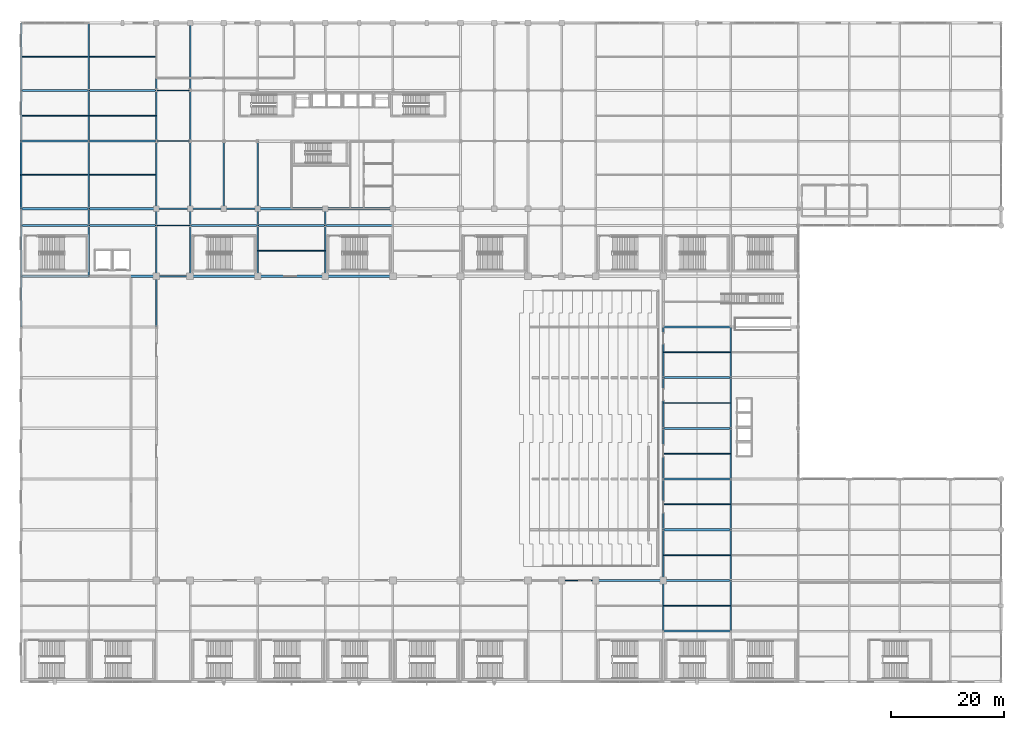
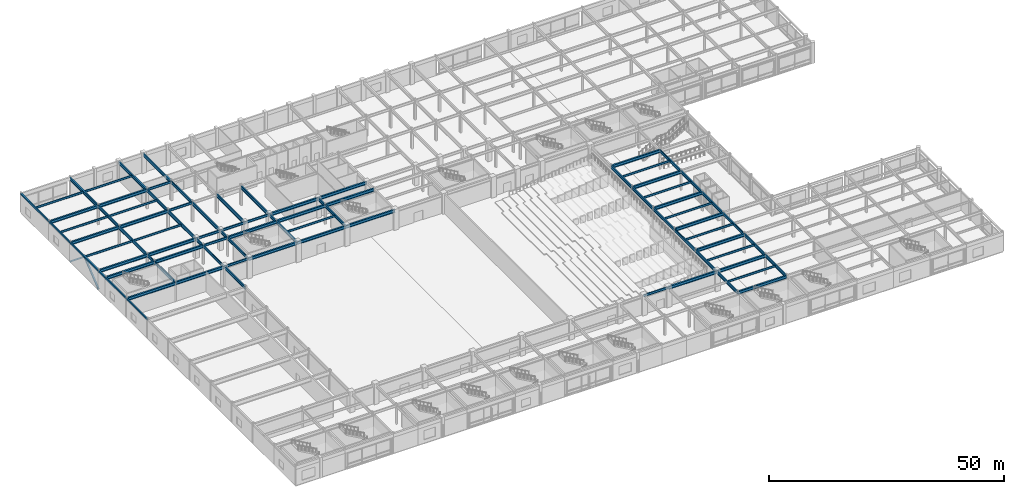
# One storey, part 33 of 100: 87 beams, 2 members.
"""IFC4 building model written with IfcOpenShell, lengths in metres."""

from ifc_helpers import new_model, si_unit, direction, frame, origin, origin_2d, place, context, subcontext, project, spatial, hollow_rectangle, i_section, extrude, material, material_profile, profile_set, type_object, element, save


model = new_model("IFC4")

# Units and contexts
model_context = context("Model", 3, precision=1e-05, world=origin(), true_north=direction((0.0, 1.0)))
body_context = subcontext(model_context, "Body", "Model", "MODEL_VIEW")
ifc_project = project(units=[si_unit("LENGTHUNIT", "METRE"), si_unit("AREAUNIT", "SQUARE_METRE"), si_unit("VOLUMEUNIT", "CUBIC_METRE"), si_unit("PLANEANGLEUNIT", "RADIAN"), si_unit("MASSUNIT", "GRAM", prefix="KILO")], contexts=[model_context])

# Site, building, storey
site_placement = place(None, origin())
site = spatial("IfcSite", under=ifc_project, at=site_placement, CompositionType="ELEMENT")
building_placement = place(site_placement, origin())
building = spatial("IfcBuilding", under=site, at=building_placement, Name="Kaldorvane Square Convention Centre", CompositionType="ELEMENT")
storey_placement = place(building_placement, frame((0.0, 0.0, 18.0)))
storey = spatial("IfcBuildingStorey", under=building, at=storey_placement, Name="L03", CompositionType="ELEMENT", Elevation=18.0)

# Beams
ifc_material_1 = material(Name="Steel ASTM A992 Gr. 50", Category="steel")
ifc_material_profile_1 = material_profile(ifc_material_1, i_section(OverallWidth=0.2303009033203125, OverallDepth=0.61749267578125, WebThickness=0.0131072998046875, FlangeThickness=0.0222015380859375, FilletRadius=0.0126953125, at=origin_2d()), Name="W24X94")
ifc_profile_set_1 = profile_set([ifc_material_profile_1], Name="Steel ASTM A992 Gr. 50")
beam_type_1 = type_object("IfcBeamType", Name="BM-GR-W24X94", PredefinedType="BEAM", material=ifc_profile_set_1)
for number, where, z_axis, x_axis, name in (
    (1, (96.0, 18.0, 4.7671966552734375), (1.0, 0.0, 0.0), (0.0, 1.0, 0.0), "Primary Girder (L03)"),
    (2, (24.0, 72.0, 4.7671966552734375), (1.0, 0.0, 0.0), (0.0, 1.0, 0.0), "Primary Girder (L03)"),
    (3, (24.0, 81.0, 4.7671966552734375), (1.0, 0.0, 0.0), (0.0, 1.0, 0.0), "Primary Girder (L03)"),
    (4, (24.0, 84.0, 4.7671966552734375), (1.0, 0.0, 0.0), (0.0, 1.0, 0.0), "Primary Girder (L03)"),
    (5, (30.0, 84.0, 4.7671966552734375), (1.0, 0.0, 0.0), (0.0, 1.0, 0.0), "Primary Girder (L03)"),
    (6, (36.0, 84.0, 4.7671966552734375), (1.0, 0.0, 0.0), (0.0, 1.0, 0.0), "Primary Girder (L03)"),
    (7, (24.0, 96.0, 4.7671966552734375), (1.0, 0.0, 0.0), (0.0, 1.0, 0.0), "Primary Girder (L03)"),
    (8, (24.0, 105.0, 4.7671966552734375), (1.0, 0.0, 0.0), (0.0, 1.0, 0.0), "Primary Girder (L03)"),
):
    element("IfcBeam", number, at=place(storey_placement, frame(where, z_axis=z_axis, x_axis=x_axis)), inside=storey, type_object=beam_type_1, Name=name, PredefinedType="BEAM", context=body_context, shape_type="SweptSolid", body=[
        extrude(i_section(OverallWidth=0.2303009033203125, OverallDepth=0.61749267578125, WebThickness=0.0131072998046875, FlangeThickness=0.0222015380859375, FilletRadius=0.0126953125, at=origin_2d()), origin(), (0.0, 0.0, 1.0), 6.0),
    ])
ifc_material_profile_2 = material_profile(ifc_material_1, i_section(OverallWidth=0.2666015625, OverallDepth=0.762298583984375, WebThickness=0.014404296875, FlangeThickness=0.0216064453125, FilletRadius=0.0164947509765625, at=origin_2d()), Name="W30X116")
ifc_profile_set_2 = profile_set([ifc_material_profile_2], Name="Steel ASTM A992 Gr. 50")
beam_type_2 = type_object("IfcBeamType", Name="BM-GR-W30X116", PredefinedType="BEAM", material=ifc_profile_set_2)
beam_1_placement = place(storey_placement, frame((12.0, 72.0, 4.694793701171875), z_axis=(0.0, 1.0, 0.0), x_axis=(-1.0, 0.0, 0.0)))
element("IfcBeam", 9, at=beam_1_placement, inside=storey, type_object=beam_type_2, Name="Transverse Girder (L03)", PredefinedType="BEAM", context=body_context, shape_type="SweptSolid", body=[
    extrude(i_section(OverallWidth=0.2666015625, OverallDepth=0.762298583984375, WebThickness=0.014404296875, FlangeThickness=0.0216064453125, FilletRadius=0.0164947509765625, at=origin_2d()), origin(), (0.0, 0.0, 1.0), 9.0),
])
beam_2_placement = place(storey_placement, frame((12.0, 81.0, 4.694793701171875), z_axis=(0.0, 1.0, 0.0), x_axis=(-1.0, 0.0, 0.0)))
element("IfcBeam", 10, at=beam_2_placement, inside=storey, type_object=beam_type_2, Name="Transverse Girder (L03)", PredefinedType="BEAM", context=body_context, shape_type="SweptSolid", body=[
    extrude(i_section(OverallWidth=0.2666015625, OverallDepth=0.762298583984375, WebThickness=0.014404296875, FlangeThickness=0.0216064453125, FilletRadius=0.0164947509765625, at=origin_2d()), origin(), (0.0, 0.0, 1.0), 3.0),
])
for number, where, z_axis, x_axis, name in (
    (11, (12.0, 96.0, 4.694793701171875), (0.0, 1.0, 0.0), (-1.0, 0.0, 0.0), "Transverse Girder (L03)"),
    (12, (24.0, 63.0, 4.694793701171875), (0.0, 1.0, 0.0), (-1.0, 0.0, 0.0), "Transverse Girder (L03)"),
    (13, (24.0, 72.0, 4.694793701171875), (0.0, 1.0, 0.0), (-1.0, 0.0, 0.0), "Transverse Girder (L03)"),
):
    element("IfcBeam", number, at=place(storey_placement, frame(where, z_axis=z_axis, x_axis=x_axis)), inside=storey, type_object=beam_type_2, Name=name, PredefinedType="BEAM", context=body_context, shape_type="SweptSolid", body=[
        extrude(i_section(OverallWidth=0.2666015625, OverallDepth=0.762298583984375, WebThickness=0.014404296875, FlangeThickness=0.0216064453125, FilletRadius=0.0164947509765625, at=origin_2d()), origin(), (0.0, 0.0, 1.0), 9.0),
    ])
beam_3_placement = place(storey_placement, frame((24.0, 81.0, 4.694793701171875), z_axis=(0.0, 1.0, 0.0), x_axis=(-1.0, 0.0, 0.0)))
element("IfcBeam", 14, at=beam_3_placement, inside=storey, type_object=beam_type_2, Name="Transverse Girder (L03)", PredefinedType="BEAM", context=body_context, shape_type="SweptSolid", body=[
    extrude(i_section(OverallWidth=0.2666015625, OverallDepth=0.762298583984375, WebThickness=0.014404296875, FlangeThickness=0.0216064453125, FilletRadius=0.0164947509765625, at=origin_2d()), origin(), (0.0, 0.0, 1.0), 3.0),
])
for number, where, z_axis, x_axis, name in (
    (15, (24.0, 96.0, 4.694793701171875), (0.0, 1.0, 0.0), (-1.0, 0.0, 0.0), "Transverse Girder (L03)"),
    (16, (30.0, 72.0, 4.694793701171875), (0.0, 1.0, 0.0), (-1.0, 0.0, 0.0), "Transverse Girder (L03)"),
):
    element("IfcBeam", number, at=place(storey_placement, frame(where, z_axis=z_axis, x_axis=x_axis)), inside=storey, type_object=beam_type_2, Name=name, PredefinedType="BEAM", context=body_context, shape_type="SweptSolid", body=[
        extrude(i_section(OverallWidth=0.2666015625, OverallDepth=0.762298583984375, WebThickness=0.014404296875, FlangeThickness=0.0216064453125, FilletRadius=0.0164947509765625, at=origin_2d()), origin(), (0.0, 0.0, 1.0), 9.0),
    ])
beam_4_placement = place(storey_placement, frame((30.0, 81.0, 4.694793701171875), z_axis=(0.0, 1.0, 0.0), x_axis=(-1.0, 0.0, 0.0)))
element("IfcBeam", 17, at=beam_4_placement, inside=storey, type_object=beam_type_2, Name="Transverse Girder (L03)", PredefinedType="BEAM", context=body_context, shape_type="SweptSolid", body=[
    extrude(i_section(OverallWidth=0.2666015625, OverallDepth=0.762298583984375, WebThickness=0.014404296875, FlangeThickness=0.0216064453125, FilletRadius=0.0164947509765625, at=origin_2d()), origin(), (0.0, 0.0, 1.0), 3.0),
])
for number, where, z_axis, x_axis, name in (
    (18, (30.0, 96.0, 4.694793701171875), (0.0, 1.0, 0.0), (-1.0, 0.0, 0.0), "Transverse Girder (L03)"),
    (19, (42.0, 72.0, 4.694793701171875), (0.0, 1.0, 0.0), (-1.0, 0.0, 0.0), "Transverse Girder (L03)"),
):
    element("IfcBeam", number, at=place(storey_placement, frame(where, z_axis=z_axis, x_axis=x_axis)), inside=storey, type_object=beam_type_2, Name=name, PredefinedType="BEAM", context=body_context, shape_type="SweptSolid", body=[
        extrude(i_section(OverallWidth=0.2666015625, OverallDepth=0.762298583984375, WebThickness=0.014404296875, FlangeThickness=0.0216064453125, FilletRadius=0.0164947509765625, at=origin_2d()), origin(), (0.0, 0.0, 1.0), 9.0),
    ])
beam_5_placement = place(storey_placement, frame((42.0, 81.0, 4.694793701171875), z_axis=(0.0, 1.0, 0.0), x_axis=(-1.0, 0.0, 0.0)))
element("IfcBeam", 20, at=beam_5_placement, inside=storey, type_object=beam_type_2, Name="Transverse Girder (L03)", PredefinedType="BEAM", context=body_context, shape_type="SweptSolid", body=[
    extrude(i_section(OverallWidth=0.2666015625, OverallDepth=0.762298583984375, WebThickness=0.014404296875, FlangeThickness=0.0216064453125, FilletRadius=0.0164947509765625, at=origin_2d()), origin(), (0.0, 0.0, 1.0), 3.0),
])
beam_6_placement = place(storey_placement, frame((54.0, 72.0, 4.694793701171875), z_axis=(0.0, 1.0, 0.0), x_axis=(-1.0, 0.0, 0.0)))
element("IfcBeam", 21, at=beam_6_placement, inside=storey, type_object=beam_type_2, Name="Transverse Girder (L03)", PredefinedType="BEAM", context=body_context, shape_type="SweptSolid", body=[
    extrude(i_section(OverallWidth=0.2666015625, OverallDepth=0.762298583984375, WebThickness=0.014404296875, FlangeThickness=0.0216064453125, FilletRadius=0.0164947509765625, at=origin_2d()), origin(), (0.0, 0.0, 1.0), 9.0),
])
beam_7_placement = place(storey_placement, frame((54.0, 81.0, 4.694793701171875), z_axis=(0.0, 1.0, 0.0), x_axis=(-1.0, 0.0, 0.0)))
element("IfcBeam", 22, at=beam_7_placement, inside=storey, type_object=beam_type_2, Name="Transverse Girder (L03)", PredefinedType="BEAM", context=body_context, shape_type="SweptSolid", body=[
    extrude(i_section(OverallWidth=0.2666015625, OverallDepth=0.762298583984375, WebThickness=0.014404296875, FlangeThickness=0.0216064453125, FilletRadius=0.0164947509765625, at=origin_2d()), origin(), (0.0, 0.0, 1.0), 3.0),
])
for number, where, z_axis, x_axis, name in (
    (23, (114.0, 9.0, 4.694793701171875), (0.0, 1.0, 0.0), (-1.0, 0.0, 0.0), "Transverse Girder (L03)"),
    (24, (114.0, 18.0, 4.694793701171875), (0.0, 1.0, 0.0), (-1.0, 0.0, 0.0), "Transverse Girder (L03)"),
    (25, (114.0, 27.0, 4.694793701171875), (0.0, 1.0, 0.0), (-1.0, 0.0, 0.0), "Transverse Girder (L03)"),
    (26, (114.0, 36.0, 4.694793701171875), (0.0, 1.0, 0.0), (-1.0, 0.0, 0.0), "Transverse Girder (L03)"),
    (27, (114.0, 45.0, 4.694793701171875), (0.0, 1.0, 0.0), (-1.0, 0.0, 0.0), "Transverse Girder (L03)"),
    (28, (114.0, 54.0, 4.694793701171875), (0.0, 1.0, 0.0), (-1.0, 0.0, 0.0), "Transverse Girder (L03)"),
    (29, (126.0, 9.0, 4.694793701171875), (0.0, 1.0, 0.0), (-1.0, 0.0, 0.0), "Transverse Girder (L03)"),
    (30, (126.0, 18.0, 4.694793701171875), (0.0, 1.0, 0.0), (-1.0, 0.0, 0.0), "Transverse Girder (L03)"),
    (31, (126.0, 27.0, 4.694793701171875), (0.0, 1.0, 0.0), (-1.0, 0.0, 0.0), "Transverse Girder (L03)"),
    (32, (126.0, 36.0, 4.694793701171875), (0.0, 1.0, 0.0), (-1.0, 0.0, 0.0), "Transverse Girder (L03)"),
    (33, (126.0, 45.0, 4.694793701171875), (0.0, 1.0, 0.0), (-1.0, 0.0, 0.0), "Transverse Girder (L03)"),
    (34, (126.0, 54.0, 4.694793701171875), (0.0, 1.0, 0.0), (-1.0, 0.0, 0.0), "Transverse Girder (L03)"),
):
    element("IfcBeam", number, at=place(storey_placement, frame(where, z_axis=z_axis, x_axis=x_axis)), inside=storey, type_object=beam_type_2, Name=name, PredefinedType="BEAM", context=body_context, shape_type="SweptSolid", body=[
        extrude(i_section(OverallWidth=0.2666015625, OverallDepth=0.762298583984375, WebThickness=0.014404296875, FlangeThickness=0.0216064453125, FilletRadius=0.0164947509765625, at=origin_2d()), origin(), (0.0, 0.0, 1.0), 9.0),
    ])
ifc_material_profile_3 = material_profile(ifc_material_1, i_section(OverallWidth=0.380706787109375, OverallDepth=0.773193359375, WebThickness=0.0166015625, FlangeThickness=0.027099609375, FilletRadius=0.0164947509765625, at=origin_2d()), Name="W30X173")
ifc_profile_set_3 = profile_set([ifc_material_profile_3], Name="Steel ASTM A992 Gr. 50")
beam_type_3 = type_object("IfcBeamType", Name="BM-GR-W30X173", PredefinedType="BEAM", material=ifc_profile_set_3)
for number, where, z_axis, x_axis, name in (
    (35, (114.0, 9.0, 4.6894073486328125), (1.0, 0.0, 0.0), (0.0, 1.0, 0.0), "Primary Girder (L03)"),
    (36, (102.0, 18.0, 4.6894073486328125), (1.0, 0.0, 0.0), (0.0, 1.0, 0.0), "Primary Girder (L03)"),
    (37, (114.0, 18.0, 4.6894073486328125), (1.0, 0.0, 0.0), (0.0, 1.0, 0.0), "Primary Girder (L03)"),
    (38, (114.0, 27.0, 4.6894073486328125), (1.0, 0.0, 0.0), (0.0, 1.0, 0.0), "Primary Girder (L03)"),
    (39, (114.0, 36.0, 4.6894073486328125), (1.0, 0.0, 0.0), (0.0, 1.0, 0.0), "Primary Girder (L03)"),
    (40, (114.0, 45.0, 4.6894073486328125), (1.0, 0.0, 0.0), (0.0, 1.0, 0.0), "Primary Girder (L03)"),
    (41, (114.0, 54.0, 4.6894073486328125), (1.0, 0.0, 0.0), (0.0, 1.0, 0.0), "Primary Girder (L03)"),
    (42, (114.0, 63.0, 4.6894073486328125), (1.0, 0.0, 0.0), (0.0, 1.0, 0.0), "Primary Girder (L03)"),
    (43, (0.0, 72.0, 4.6894073486328125), (1.0, 0.0, 0.0), (0.0, 1.0, 0.0), "Primary Girder (L03)"),
    (44, (12.0, 72.0, 4.6894073486328125), (1.0, 0.0, 0.0), (0.0, 1.0, 0.0), "Primary Girder (L03)"),
    (45, (30.0, 72.0, 4.6894073486328125), (1.0, 0.0, 0.0), (0.0, 1.0, 0.0), "Primary Girder (L03)"),
    (46, (42.0, 72.0, 4.6894073486328125), (1.0, 0.0, 0.0), (0.0, 1.0, 0.0), "Primary Girder (L03)"),
    (47, (54.0, 72.0, 4.6894073486328125), (1.0, 0.0, 0.0), (0.0, 1.0, 0.0), "Primary Girder (L03)"),
    (48, (0.0, 81.0, 4.6894073486328125), (1.0, 0.0, 0.0), (0.0, 1.0, 0.0), "Primary Girder (L03)"),
    (49, (12.0, 81.0, 4.6894073486328125), (1.0, 0.0, 0.0), (0.0, 1.0, 0.0), "Primary Girder (L03)"),
    (50, (30.0, 81.0, 4.6894073486328125), (1.0, 0.0, 0.0), (0.0, 1.0, 0.0), "Primary Girder (L03)"),
    (51, (42.0, 81.0, 4.6894073486328125), (1.0, 0.0, 0.0), (0.0, 1.0, 0.0), "Primary Girder (L03)"),
    (52, (54.0, 81.0, 4.6894073486328125), (1.0, 0.0, 0.0), (0.0, 1.0, 0.0), "Primary Girder (L03)"),
    (53, (0.0, 84.0, 4.6894073486328125), (1.0, 0.0, 0.0), (0.0, 1.0, 0.0), "Primary Girder (L03)"),
    (54, (12.0, 84.0, 4.6894073486328125), (1.0, 0.0, 0.0), (0.0, 1.0, 0.0), "Primary Girder (L03)"),
    (55, (42.0, 84.0, 4.6894073486328125), (1.0, 0.0, 0.0), (0.0, 1.0, 0.0), "Primary Girder (L03)"),
    (56, (54.0, 84.0, 4.6894073486328125), (1.0, 0.0, 0.0), (0.0, 1.0, 0.0), "Primary Girder (L03)"),
    (57, (0.0, 96.0, 4.6894073486328125), (1.0, 0.0, 0.0), (0.0, 1.0, 0.0), "Primary Girder (L03)"),
    (58, (12.0, 96.0, 4.6894073486328125), (1.0, 0.0, 0.0), (0.0, 1.0, 0.0), "Primary Girder (L03)"),
    (59, (0.0, 105.0, 4.6894073486328125), (1.0, 0.0, 0.0), (0.0, 1.0, 0.0), "Primary Girder (L03)"),
    (60, (12.0, 105.0, 4.6894073486328125), (1.0, 0.0, 0.0), (0.0, 1.0, 0.0), "Primary Girder (L03)"),
):
    element("IfcBeam", number, at=place(storey_placement, frame(where, z_axis=z_axis, x_axis=x_axis)), inside=storey, type_object=beam_type_3, Name=name, PredefinedType="BEAM", context=body_context, shape_type="SweptSolid", body=[
        extrude(i_section(OverallWidth=0.380706787109375, OverallDepth=0.773193359375, WebThickness=0.0166015625, FlangeThickness=0.027099609375, FilletRadius=0.0164947509765625, at=origin_2d()), origin(), (0.0, 0.0, 1.0), 12.0),
    ])
ifc_material_profile_4 = material_profile(ifc_material_1, i_section(OverallWidth=0.292999267578125, OverallDepth=0.845794677734375, WebThickness=0.0153961181640625, FlangeThickness=0.0243988037109375, FilletRadius=0.0178070068359375, at=origin_2d()), Name="W33X141")
ifc_profile_set_4 = profile_set([ifc_material_profile_4], Name="Steel ASTM A992 Gr. 50")
beam_type_4 = type_object("IfcBeamType", Name="BM-GR-W33X141", PredefinedType="BEAM", material=ifc_profile_set_4)
for number, where, z_axis, x_axis, name in (
    (61, (12.0, 84.0, 4.653106689453125), (0.0, 1.0, 0.0), (-1.0, 0.0, 0.0), "Transverse Girder (L03)"),
    (62, (12.0, 105.0, 4.653106689453125), (0.0, 1.0, 0.0), (-1.0, 0.0, 0.0), "Transverse Girder (L03)"),
    (63, (24.0, 84.0, 4.653106689453125), (0.0, 1.0, 0.0), (-1.0, 0.0, 0.0), "Transverse Girder (L03)"),
    (64, (24.0, 105.0, 4.653106689453125), (0.0, 1.0, 0.0), (-1.0, 0.0, 0.0), "Transverse Girder (L03)"),
    (65, (30.0, 84.0, 4.653106689453125), (0.0, 1.0, 0.0), (-1.0, 0.0, 0.0), "Transverse Girder (L03)"),
    (66, (30.0, 105.0, 4.653106689453125), (0.0, 1.0, 0.0), (-1.0, 0.0, 0.0), "Transverse Girder (L03)"),
    (67, (36.0, 84.0, 4.653106689453125), (0.0, 1.0, 0.0), (-1.0, 0.0, 0.0), "Transverse Girder (L03)"),
    (68, (42.0, 84.0, 4.653106689453125), (0.0, 1.0, 0.0), (-1.0, 0.0, 0.0), "Transverse Girder (L03)"),
):
    element("IfcBeam", number, at=place(storey_placement, frame(where, z_axis=z_axis, x_axis=x_axis)), inside=storey, type_object=beam_type_4, Name=name, PredefinedType="BEAM", context=body_context, shape_type="SweptSolid", body=[
        extrude(i_section(OverallWidth=0.292999267578125, OverallDepth=0.845794677734375, WebThickness=0.0153961181640625, FlangeThickness=0.0243988037109375, FilletRadius=0.0178070068359375, at=origin_2d()), origin(), (0.0, 0.0, 1.0), 12.0),
    ])
ifc_material_profile_5 = material_profile(ifc_material_1, i_section(OverallWidth=0.1658935546875, OverallDepth=0.5290985107421875, WebThickness=0.00970458984375, FlangeThickness=0.0135955810546875, FilletRadius=0.0126953125, at=origin_2d()), Name="W21X50")
ifc_profile_set_5 = profile_set([ifc_material_profile_5], Name="Steel ASTM A992 Gr. 50")
beam_type_5 = type_object("IfcBeamType", Name="BM-JS-W21X50", PredefinedType="JOIST", material=ifc_profile_set_5)
for number, where, z_axis, x_axis, name in (
    (69, (114.13330078125, 13.5, 4.8114013671875), (1.0, 0.0, 0.0), (0.0, 1.0, 0.0), "Secondary Floor Joist (L03)"),
    (70, (114.13330078125, 22.5, 4.8114013671875), (1.0, 0.0, 0.0), (0.0, 1.0, 0.0), "Secondary Floor Joist (L03)"),
    (71, (114.13330078125, 31.5, 4.8114013671875), (1.0, 0.0, 0.0), (0.0, 1.0, 0.0), "Secondary Floor Joist (L03)"),
    (72, (114.13330078125, 40.5, 4.8114013671875), (1.0, 0.0, 0.0), (0.0, 1.0, 0.0), "Secondary Floor Joist (L03)"),
    (73, (114.13330078125, 49.5, 4.8114013671875), (1.0, 0.0, 0.0), (0.0, 1.0, 0.0), "Secondary Floor Joist (L03)"),
    (74, (114.13330078125, 58.5, 4.8114013671875), (1.0, 0.0, 0.0), (0.0, 1.0, 0.0), "Secondary Floor Joist (L03)"),
    (75, (42.13330078125, 76.5, 4.8114013671875), (1.0, 0.0, 0.0), (0.0, 1.0, 0.0), "Secondary Floor Joist (L03)"),
):
    element("IfcBeam", number, at=place(storey_placement, frame(where, z_axis=z_axis, x_axis=x_axis)), inside=storey, type_object=beam_type_5, Name=name, PredefinedType="JOIST", context=body_context, shape_type="SweptSolid", body=[
        extrude(i_section(OverallWidth=0.1658935546875, OverallDepth=0.5290985107421875, WebThickness=0.00970458984375, FlangeThickness=0.0135955810546875, FilletRadius=0.0126953125, at=origin_2d()), origin(), (0.0, 0.0, 1.0), 11.7333984375),
    ])
beam_8_placement = place(storey_placement, frame((0.15240478515625, 90.0, 4.8114013671875), z_axis=(1.0, 0.0, 0.0), x_axis=(0.0, 1.0, 0.0)))
element("IfcBeam", 76, at=beam_8_placement, inside=storey, type_object=beam_type_5, Name="Secondary Floor Joist (L03)", PredefinedType="JOIST", context=body_context, shape_type="SweptSolid", body=[
    extrude(i_section(OverallWidth=0.1658935546875, OverallDepth=0.5290985107421875, WebThickness=0.00970458984375, FlangeThickness=0.0135955810546875, FilletRadius=0.0126953125, at=origin_2d()), origin(), (0.0, 0.0, 1.0), 11.701095581054688),
])
beam_9_placement = place(storey_placement, frame((12.146499633789062, 90.0, 4.8114013671875), z_axis=(1.0, 0.0, 0.0), x_axis=(0.0, 1.0, 0.0)))
element("IfcBeam", 77, at=beam_9_placement, inside=storey, type_object=beam_type_5, Name="Secondary Floor Joist (L03)", PredefinedType="JOIST", context=body_context, shape_type="SweptSolid", body=[
    extrude(i_section(OverallWidth=0.1658935546875, OverallDepth=0.5290985107421875, WebThickness=0.00970458984375, FlangeThickness=0.0135955810546875, FilletRadius=0.0126953125, at=origin_2d()), origin(), (0.0, 0.0, 1.0), 11.707000732421875),
])
beam_10_placement = place(storey_placement, frame((0.15240478515625, 100.5, 4.8114013671875), z_axis=(1.0, 0.0, 0.0), x_axis=(0.0, 1.0, 0.0)))
element("IfcBeam", 78, at=beam_10_placement, inside=storey, type_object=beam_type_5, Name="Secondary Floor Joist (L03)", PredefinedType="JOIST", context=body_context, shape_type="SweptSolid", body=[
    extrude(i_section(OverallWidth=0.1658935546875, OverallDepth=0.5290985107421875, WebThickness=0.00970458984375, FlangeThickness=0.0135955810546875, FilletRadius=0.0126953125, at=origin_2d()), origin(), (0.0, 0.0, 1.0), 11.71429443359375),
])
beam_11_placement = place(storey_placement, frame((12.13330078125, 100.5, 4.8114013671875), z_axis=(1.0, 0.0, 0.0), x_axis=(0.0, 1.0, 0.0)))
element("IfcBeam", 79, at=beam_11_placement, inside=storey, type_object=beam_type_5, Name="Secondary Floor Joist (L03)", PredefinedType="JOIST", context=body_context, shape_type="SweptSolid", body=[
    extrude(i_section(OverallWidth=0.1658935546875, OverallDepth=0.5290985107421875, WebThickness=0.00970458984375, FlangeThickness=0.0135955810546875, FilletRadius=0.0126953125, at=origin_2d()), origin(), (0.0, 0.0, 1.0), 11.7333984375),
])
beam_12_placement = place(storey_placement, frame((0.15240478515625, 111.0, 4.8114013671875), z_axis=(1.0, 0.0, 0.0), x_axis=(0.0, 1.0, 0.0)))
element("IfcBeam", 80, at=beam_12_placement, inside=storey, type_object=beam_type_5, Name="Secondary Floor Joist (L03)", PredefinedType="JOIST", context=body_context, shape_type="SweptSolid", body=[
    extrude(i_section(OverallWidth=0.1658935546875, OverallDepth=0.5290985107421875, WebThickness=0.00970458984375, FlangeThickness=0.0135955810546875, FilletRadius=0.0126953125, at=origin_2d()), origin(), (0.0, 0.0, 1.0), 11.701095581054688),
])
beam_13_placement = place(storey_placement, frame((12.146499633789062, 111.0, 4.8114013671875), z_axis=(1.0, 0.0, 0.0), x_axis=(0.0, 1.0, 0.0)))
element("IfcBeam", 81, at=beam_13_placement, inside=storey, type_object=beam_type_5, Name="Secondary Floor Joist (L03)", PredefinedType="JOIST", context=body_context, shape_type="SweptSolid", body=[
    extrude(i_section(OverallWidth=0.1658935546875, OverallDepth=0.5290985107421875, WebThickness=0.00970458984375, FlangeThickness=0.0135955810546875, FilletRadius=0.0126953125, at=origin_2d()), origin(), (0.0, 0.0, 1.0), 11.707000732421875),
])
ifc_material_2 = material(Name="Steel ASTM A500 Gr. C", Category="steel")
ifc_material_profile_6 = material_profile(ifc_material_2, hollow_rectangle(XDim=0.3047943115234375, YDim=0.406402587890625, WallThickness=0.0117950439453125, at=origin_2d()), Name="HSS16X12X1/2")
ifc_profile_set_6 = profile_set([ifc_material_profile_6], Name="Steel ASTM A500 Gr. C")
beam_type_6 = type_object("IfcBeamType", Name="BM-SP-HSS16", PredefinedType="SPANDREL", material=ifc_profile_set_6)
for number, where, z_axis, x_axis, name in (
    (82, (0.0, 63.0, 4.872802734375), (0.0, 1.0, 0.0), (-1.0, 0.0, 0.0), "End Spandrel (L03)"),
    (83, (0.0, 72.0, 4.872802734375), (0.0, 1.0, 0.0), (-1.0, 0.0, 0.0), "End Spandrel (L03)"),
):
    element("IfcBeam", number, at=place(storey_placement, frame(where, z_axis=z_axis, x_axis=x_axis)), inside=storey, type_object=beam_type_6, Name=name, PredefinedType="SPANDREL", context=body_context, shape_type="SweptSolid", body=[
        extrude(hollow_rectangle(XDim=0.3047943115234375, YDim=0.406402587890625, WallThickness=0.0117950439453125, at=origin_2d()), origin(), (0.0, 0.0, 1.0), 9.0),
    ])
beam_14_placement = place(storey_placement, frame((0.0, 81.0, 4.872802734375), z_axis=(0.0, 1.0, 0.0), x_axis=(-1.0, 0.0, 0.0)))
element("IfcBeam", 84, at=beam_14_placement, inside=storey, type_object=beam_type_6, Name="End Spandrel (L03)", PredefinedType="SPANDREL", context=body_context, shape_type="SweptSolid", body=[
    extrude(hollow_rectangle(XDim=0.3047943115234375, YDim=0.406402587890625, WallThickness=0.0117950439453125, at=origin_2d()), origin(), (0.0, 0.0, 1.0), 3.0),
])
beam_15_placement = place(storey_placement, frame((0.0, 84.0, 4.872802734375), z_axis=(0.0, 1.0, 0.0), x_axis=(-1.0, 0.0, 0.0)))
element("IfcBeam", 85, at=beam_15_placement, inside=storey, type_object=beam_type_6, Name="End Spandrel (L03)", PredefinedType="SPANDREL", context=body_context, shape_type="SweptSolid", body=[
    extrude(hollow_rectangle(XDim=0.3047943115234375, YDim=0.406402587890625, WallThickness=0.0117950439453125, at=origin_2d()), origin(), (0.0, 0.0, 1.0), 12.0),
])
beam_16_placement = place(storey_placement, frame((0.0, 96.0, 4.872802734375), z_axis=(0.0, 1.0, 0.0), x_axis=(-1.0, 0.0, 0.0)))
element("IfcBeam", 86, at=beam_16_placement, inside=storey, type_object=beam_type_6, Name="End Spandrel (L03)", PredefinedType="SPANDREL", context=body_context, shape_type="SweptSolid", body=[
    extrude(hollow_rectangle(XDim=0.3047943115234375, YDim=0.406402587890625, WallThickness=0.0117950439453125, at=origin_2d()), origin(), (0.0, 0.0, 1.0), 9.0),
])
beam_17_placement = place(storey_placement, frame((0.0, 105.0, 4.872802734375), z_axis=(0.0, 1.0, 0.0), x_axis=(-1.0, 0.0, 0.0)))
element("IfcBeam", 87, at=beam_17_placement, inside=storey, type_object=beam_type_6, Name="End Spandrel (L03)", PredefinedType="SPANDREL", context=body_context, shape_type="SweptSolid", body=[
    extrude(hollow_rectangle(XDim=0.3047943115234375, YDim=0.406402587890625, WallThickness=0.0117950439453125, at=origin_2d()), origin(), (0.0, 0.0, 1.0), 12.0),
])

# Members
ifc_material_profile_7 = material_profile(ifc_material_2, hollow_rectangle(XDim=0.3556060791015625, YDim=0.3556060791015625, WallThickness=0.0117950439453125, at=origin_2d()), Name="HSS14X14X1/2")
ifc_profile_set_7 = profile_set([ifc_material_profile_7], Name="Steel ASTM A500 Gr. C")
member_type = type_object("IfcMemberType", Name="MB-BR-HSS14", PredefinedType="BRACE", material=ifc_profile_set_7)
for number, where, z_axis, x_axis, name in (
    (88, (0.0, 84.0, 0.0), (0.0, 0.776253107473, 0.630421377444), (-1.0, 0.0, 0.0), "Seismic Chevron Brace X0-B2A (L03)"),
    (89, (0.0, 96.0, 0.0), (0.0, -0.776253107473, 0.630421377444), (1.0, 0.0, 0.0), "Seismic Chevron Brace X0-B2B (L03)"),
):
    element("IfcMember", number, at=place(storey_placement, frame(where, z_axis=z_axis, x_axis=x_axis)), inside=storey, type_object=member_type, Name=name, PredefinedType="BRACE", context=body_context, shape_type="SweptSolid", body=[
        extrude(hollow_rectangle(XDim=0.3556060791015625, YDim=0.3556060791015625, WallThickness=0.0117950439453125, at=origin_2d()), origin(), (0.0, 0.0, 1.0), 7.72943115234375),
    ])

save(model, "model.ifc")
